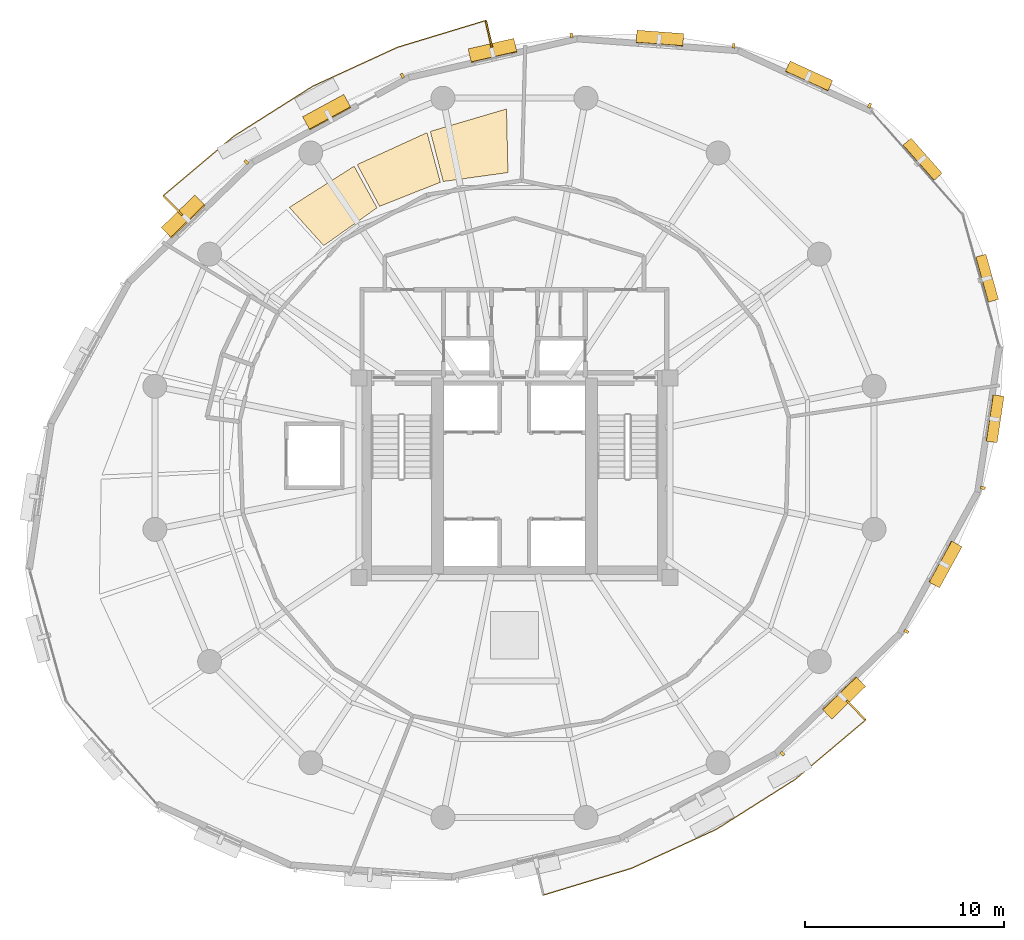
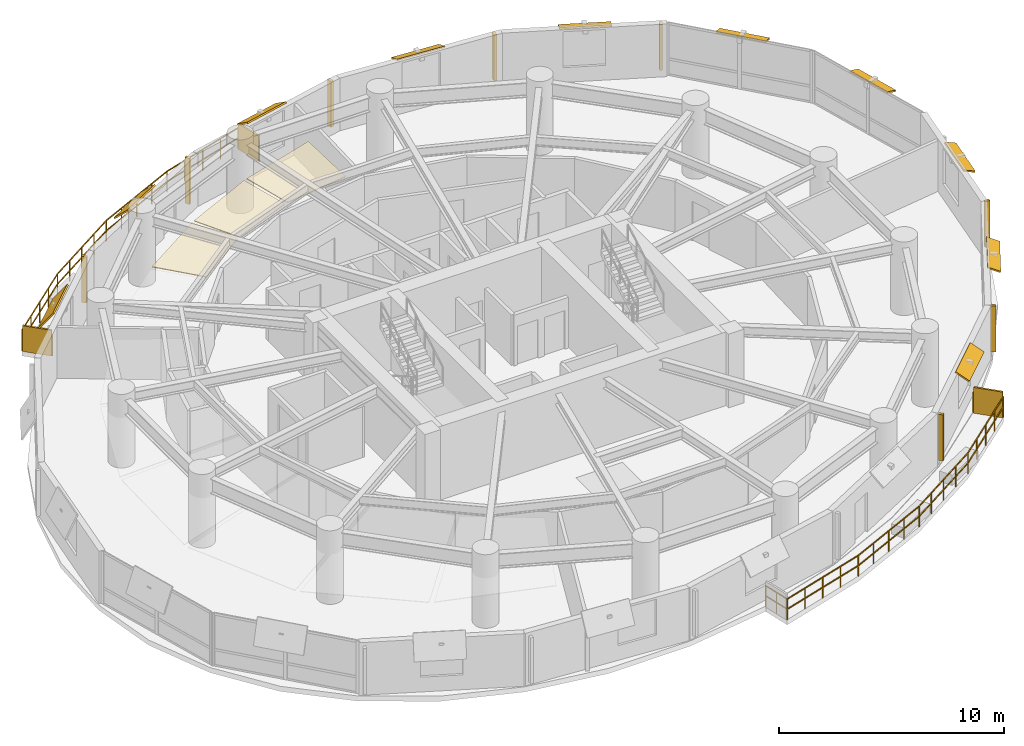
# One storey, part 12 of 12: 21 shading devices, 3 coverings, 2 railings.
"""IFC4 building model written with IfcOpenShell, lengths in metres."""

from ifc_helpers import new_model, si_unit, direction, frame, origin, origin_2d, place, context, subcontext, project, spatial, polyline, rectangle, outline, extrude, material, layer, layer_set, type_object, element, save


model = new_model("IFC4")

# Units and contexts
model_context = context("Model", 3, precision=1e-05, world=origin(), true_north=direction((0.0, 1.0)))
body_context = subcontext(model_context, "Body", "Model", "MODEL_VIEW")
ifc_project = project(units=[si_unit("LENGTHUNIT", "METRE"), si_unit("AREAUNIT", "SQUARE_METRE"), si_unit("VOLUMEUNIT", "CUBIC_METRE"), si_unit("PLANEANGLEUNIT", "RADIAN"), si_unit("MASSUNIT", "GRAM", prefix="KILO"), si_unit("THERMODYNAMICTEMPERATUREUNIT", "KELVIN"), si_unit("POWERUNIT", "WATT")], contexts=[model_context])

# Site, building, storey
site_placement = place(None, origin())
site = spatial("IfcSite", under=ifc_project, at=site_placement, CompositionType="ELEMENT")
building_placement = place(site_placement, origin())
building = spatial("IfcBuilding", under=site, at=building_placement, Name="Ocrelia Relay Tower", CompositionType="ELEMENT")
storey_placement = place(building_placement, frame((0.0, 0.0, 153.800048828125)))
storey = spatial("IfcBuildingStorey", under=building, at=storey_placement, Name="L36", CompositionType="ELEMENT", Elevation=153.800048828125)

# Coverings
ifc_material_1 = material(Name="Mineral-fiber acoustic ceiling tile", Category="gypsum")
ifc_layer_1 = layer(ifc_material_1, 0.0400390625, Name="Mineral-fiber acoustic ceiling tile")
ifc_layer_set_1 = layer_set([ifc_layer_1], Name="Mineral-fiber acoustic ceiling tile")
covering_type = type_object("IfcCoveringType", Name="COV-CEIL-ACOUSTIC", PredefinedType="CEILING", material=ifc_layer_set_1)
covering_1_placement = place(storey_placement, frame((0.0, 0.0, 2.679931640625)))
element("IfcCovering", 1, at=covering_1_placement, inside=storey, type_object=covering_type, Name="L36 Sky Observation Lounge Suspended Ceiling 1", PredefinedType="CEILING", context=body_context, shape_type="SweptSolid", body=[
    extrude(outline(polyline([(33.675048828125, 40.31640625), (33.602783203125, 43.508544921875), (29.7783203125, 42.382568359375), (30.4267578125, 39.866943359375), (33.675048828125, 40.31640625)])), origin(), (0.0, 0.0, 1.0), 0.0400390625),
])
covering_2_placement = place(storey_placement, frame((0.0, 0.0, 2.679931640625)))
element("IfcCovering", 2, at=covering_2_placement, inside=storey, type_object=covering_type, Name="L36 Sky Observation Lounge Suspended Ceiling 2", PredefinedType="CEILING", context=body_context, shape_type="SweptSolid", body=[
    extrude(outline(polyline([(30.281494140625, 39.828857421875), (29.61181640625, 42.320068359375), (26.1083984375, 40.718017578125), (27.233154296875, 38.620361328125), (30.281494140625, 39.828857421875)])), origin(), (0.0, 0.0, 1.0), 0.0400390625),
])
covering_3_placement = place(storey_placement, frame((0.0, 0.0, 2.679931640625)))
element("IfcCovering", 3, at=covering_3_placement, inside=storey, type_object=covering_type, Name="L36 Sky Observation Lounge Suspended Ceiling 3", PredefinedType="CEILING", context=body_context, shape_type="SweptSolid", body=[
    extrude(outline(polyline([(27.101318359375, 38.548583984375), (25.95458984375, 40.634521484375), (22.702880859375, 38.568603515625), (24.42724609375, 36.650146484375), (27.101318359375, 38.548583984375)])), origin(), (0.0, 0.0, 1.0), 0.0400390625),
])

# Railings
ifc_material_2 = material(Name="Steel S355 balustrade", Category="steel")
railing_type = type_object("IfcRailingType", Name="RL-EXT-GUARD-1150", PredefinedType="GUARDRAIL", material=ifc_material_2)
railing_1_placement = place(storey_placement, frame((17.34619140625, 38.162353515625, 0.0)))
element("IfcRailing", 4, at=railing_1_placement, inside=storey, type_object=railing_type, Name="L36 Loggia Balcony Guard Rail B1", PredefinedType="GUARDRAIL", context=body_context, shape_type="SweptSolid", body=[
    extrude(rectangle(XDim=0.048095703125, YDim=0.048095703125, at=origin_2d()), frame((0.0, 0.0, 1.1259765625), z_axis=(-0.696605382425, 0.717454487181, 0.0), x_axis=(-0.717454487181, -0.696605382425, 0.0)), (0.0, 0.0, 1.0), 1.3935546875),
    extrude(rectangle(XDim=0.048095703125, YDim=0.048095703125, at=origin_2d()), frame((0.0, 0.0, 0.574951171875), z_axis=(-0.696605382425, 0.717454487181, 0.0), x_axis=(-0.717454487181, -0.696605382425, 0.0)), (0.0, 0.0, 1.0), 1.3935546875),
    extrude(rectangle(XDim=0.048095703125, YDim=0.048095703125, at=origin_2d()), frame((-0.970703125, 0.999755859375, 1.1259765625), z_axis=(0.764736205821, 0.644343491863, 0.0), x_axis=(-0.644343491863, 0.764736205821, 0.0)), (0.0, 0.0, 1.0), 2.31591796875),
    extrude(rectangle(XDim=0.048095703125, YDim=0.048095703125, at=origin_2d()), frame((-0.970703125, 0.999755859375, 0.574951171875), z_axis=(0.764736205821, 0.644343491863, 0.0), x_axis=(-0.644343491863, 0.764736205821, 0.0)), (0.0, 0.0, 1.0), 2.31591796875),
    extrude(rectangle(XDim=0.048095703125, YDim=0.048095703125, at=origin_2d()), frame((0.80029296875, 2.491943359375, 1.1259765625), z_axis=(0.764736205821, 0.644343491863, 0.0), x_axis=(-0.644343491863, 0.764736205821, 0.0)), (0.0, 0.0, 1.0), 2.31591796875),
    extrude(rectangle(XDim=0.048095703125, YDim=0.048095703125, at=origin_2d()), frame((0.80029296875, 2.491943359375, 0.574951171875), z_axis=(0.764736205821, 0.644343491863, 0.0), x_axis=(-0.644343491863, 0.764736205821, 0.0)), (0.0, 0.0, 1.0), 2.31591796875),
    extrude(rectangle(XDim=0.048095703125, YDim=0.048095703125, at=origin_2d()), frame((2.5712890625, 3.984130859375, 1.1259765625), z_axis=(0.844863854717, 0.534981370697, 0.0), x_axis=(-0.534981370697, 0.844863854717, 0.0)), (0.0, 0.0, 1.0), 4.68212890625),
    extrude(rectangle(XDim=0.048095703125, YDim=0.048095703125, at=origin_2d()), frame((2.5712890625, 3.984130859375, 0.574951171875), z_axis=(0.844863854717, 0.534981370697, 0.0), x_axis=(-0.534981370697, 0.844863854717, 0.0)), (0.0, 0.0, 1.0), 4.68212890625),
    extrude(rectangle(XDim=0.048095703125, YDim=0.048095703125, at=origin_2d()), frame((6.527099609375, 6.489013671875, 1.1259765625), z_axis=(0.908813664652, 0.417202256635, 0.0), x_axis=(-0.417202256635, 0.908813664652, 0.0)), (0.0, 0.0, 1.0), 4.68212890625),
    extrude(rectangle(XDim=0.048095703125, YDim=0.048095703125, at=origin_2d()), frame((6.527099609375, 6.489013671875, 0.574951171875), z_axis=(0.908813664652, 0.417202256635, 0.0), x_axis=(-0.417202256635, 0.908813664652, 0.0)), (0.0, 0.0, 1.0), 4.68212890625),
    extrude(rectangle(XDim=0.048095703125, YDim=0.048095703125, at=origin_2d()), frame((10.7822265625, 8.4423828125, 1.1259765625), z_axis=(0.956916155256, 0.290364377653, 0.0), x_axis=(-0.290364377653, 0.956916155256, 0.0)), (0.0, 0.0, 1.0), 2.315673828125),
    extrude(rectangle(XDim=0.048095703125, YDim=0.048095703125, at=origin_2d()), frame((10.7822265625, 8.4423828125, 0.574951171875), z_axis=(0.956916155256, 0.290364377653, 0.0), x_axis=(-0.290364377653, 0.956916155256, 0.0)), (0.0, 0.0, 1.0), 2.315673828125),
    extrude(rectangle(XDim=0.048095703125, YDim=0.048095703125, at=origin_2d()), frame((12.998046875, 9.11474609375, 1.1259765625), z_axis=(0.956895749636, 0.290431617302, 0.0), x_axis=(-0.290431617302, 0.956895749636, 0.0)), (0.0, 0.0, 1.0), 2.31591796875),
    extrude(rectangle(XDim=0.048095703125, YDim=0.048095703125, at=origin_2d()), frame((12.998046875, 9.11474609375, 0.574951171875), z_axis=(0.956895749636, 0.290431617302, 0.0), x_axis=(-0.290431617302, 0.956895749636, 0.0)), (0.0, 0.0, 1.0), 2.31591796875),
    extrude(rectangle(XDim=0.048095703125, YDim=0.048095703125, at=origin_2d()), frame((15.214111328125, 9.787353515625, 1.1259765625), z_axis=(0.222325276678, -0.974972549024, 0.0), x_axis=(0.974972549024, 0.222325276678, 0.0)), (0.0, 0.0, 1.0), 1.3935546875),
    extrude(rectangle(XDim=0.048095703125, YDim=0.048095703125, at=origin_2d()), frame((15.214111328125, 9.787353515625, 0.574951171875), z_axis=(0.222325276678, -0.974972549024, 0.0), x_axis=(0.974972549024, 0.222325276678, 0.0)), (0.0, 0.0, 1.0), 1.3935546875),
    extrude(rectangle(XDim=0.0419921875, YDim=0.0419921875, at=origin_2d()), origin(), (0.0, 0.0, 1.0), 1.101806640625),
    extrude(rectangle(XDim=0.0419921875, YDim=0.0419921875, at=origin_2d()), frame((-0.4853515625, 0.5, 0.0)), (0.0, 0.0, 1.0), 1.101806640625),
    extrude(rectangle(XDim=0.0419921875, YDim=0.0419921875, at=origin_2d()), frame((-0.970703125, 0.999755859375, 0.0)), (0.0, 0.0, 1.0), 1.101806640625),
    extrude(rectangle(XDim=0.0419921875, YDim=0.0419921875, at=origin_2d()), frame((-0.085205078125, 1.745849609375, 0.0)), (0.0, 0.0, 1.0), 1.101806640625),
    extrude(rectangle(XDim=0.0419921875, YDim=0.0419921875, at=origin_2d()), frame((0.80029296875, 2.491943359375, 0.0)), (0.0, 0.0, 1.0), 1.101806640625),
    extrude(rectangle(XDim=0.0419921875, YDim=0.0419921875, at=origin_2d()), frame((1.685791015625, 3.238037109375, 0.0)), (0.0, 0.0, 1.0), 1.101806640625),
    extrude(rectangle(XDim=0.0419921875, YDim=0.0419921875, at=origin_2d()), frame((2.5712890625, 3.984130859375, 0.0)), (0.0, 0.0, 1.0), 1.101806640625),
    extrude(rectangle(XDim=0.0419921875, YDim=0.0419921875, at=origin_2d()), frame((3.560302734375, 4.6103515625, 0.0)), (0.0, 0.0, 1.0), 1.101806640625),
    extrude(rectangle(XDim=0.0419921875, YDim=0.0419921875, at=origin_2d()), frame((4.54931640625, 5.236572265625, 0.0)), (0.0, 0.0, 1.0), 1.101806640625),
    extrude(rectangle(XDim=0.0419921875, YDim=0.0419921875, at=origin_2d()), frame((5.5380859375, 5.86279296875, 0.0)), (0.0, 0.0, 1.0), 1.101806640625),
    extrude(rectangle(XDim=0.0419921875, YDim=0.0419921875, at=origin_2d()), frame((6.527099609375, 6.489013671875, 0.0)), (0.0, 0.0, 1.0), 1.101806640625),
    extrude(rectangle(XDim=0.0419921875, YDim=0.0419921875, at=origin_2d()), frame((7.5908203125, 6.977294921875, 0.0)), (0.0, 0.0, 1.0), 1.101806640625),
    extrude(rectangle(XDim=0.0419921875, YDim=0.0419921875, at=origin_2d()), frame((8.65478515625, 7.4658203125, 0.0)), (0.0, 0.0, 1.0), 1.101806640625),
    extrude(rectangle(XDim=0.0419921875, YDim=0.0419921875, at=origin_2d()), frame((9.718505859375, 7.9541015625, 0.0)), (0.0, 0.0, 1.0), 1.101806640625),
    extrude(rectangle(XDim=0.0419921875, YDim=0.0419921875, at=origin_2d()), frame((10.7822265625, 8.4423828125, 0.0)), (0.0, 0.0, 1.0), 1.101806640625),
    extrude(rectangle(XDim=0.0419921875, YDim=0.0419921875, at=origin_2d()), frame((11.89013671875, 8.778564453125, 0.0)), (0.0, 0.0, 1.0), 1.101806640625),
    extrude(rectangle(XDim=0.0419921875, YDim=0.0419921875, at=origin_2d()), frame((12.998046875, 9.11474609375, 0.0)), (0.0, 0.0, 1.0), 1.101806640625),
    extrude(rectangle(XDim=0.0419921875, YDim=0.0419921875, at=origin_2d()), frame((14.10595703125, 9.451171875, 0.0)), (0.0, 0.0, 1.0), 1.101806640625),
    extrude(rectangle(XDim=0.0419921875, YDim=0.0419921875, at=origin_2d()), frame((15.214111328125, 9.787353515625, 0.0)), (0.0, 0.0, 1.0), 1.101806640625),
    extrude(rectangle(XDim=0.0419921875, YDim=0.0419921875, at=origin_2d()), frame((15.369140625, 9.10791015625, 0.0)), (0.0, 0.0, 1.0), 1.101806640625),
    extrude(rectangle(XDim=0.0419921875, YDim=0.0419921875, at=origin_2d()), frame((15.52392578125, 8.4287109375, 0.0)), (0.0, 0.0, 1.0), 1.101806640625),
])
railing_2_placement = place(storey_placement, frame((50.65380859375, 13.837646484375, 0.0)))
element("IfcRailing", 5, at=railing_2_placement, inside=storey, type_object=railing_type, Name="L36 Loggia Balcony Guard Rail B2", PredefinedType="GUARDRAIL", context=body_context, shape_type="SweptSolid", body=[
    extrude(rectangle(XDim=0.048095703125, YDim=0.048095703125, at=origin_2d()), frame((0.0, 0.0, 1.1259765625), z_axis=(0.696605382425, -0.717454487181, 0.0), x_axis=(0.717454487181, 0.696605382425, 0.0)), (0.0, 0.0, 1.0), 1.3935546875),
    extrude(rectangle(XDim=0.048095703125, YDim=0.048095703125, at=origin_2d()), frame((0.0, 0.0, 0.574951171875), z_axis=(0.696605382425, -0.717454487181, 0.0), x_axis=(0.717454487181, 0.696605382425, 0.0)), (0.0, 0.0, 1.0), 1.3935546875),
    extrude(rectangle(XDim=0.048095703125, YDim=0.048095703125, at=origin_2d()), frame((0.970703125, -0.999755859375, 1.1259765625), z_axis=(-0.764736205821, -0.644343491863, 0.0), x_axis=(0.644343491863, -0.764736205821, 0.0)), (0.0, 0.0, 1.0), 2.31591796875),
    extrude(rectangle(XDim=0.048095703125, YDim=0.048095703125, at=origin_2d()), frame((0.970703125, -0.999755859375, 0.574951171875), z_axis=(-0.764736205821, -0.644343491863, 0.0), x_axis=(0.644343491863, -0.764736205821, 0.0)), (0.0, 0.0, 1.0), 2.31591796875),
    extrude(rectangle(XDim=0.048095703125, YDim=0.048095703125, at=origin_2d()), frame((-0.80029296875, -2.491943359375, 1.1259765625), z_axis=(-0.764736205821, -0.644343491863, 0.0), x_axis=(0.644343491863, -0.764736205821, 0.0)), (0.0, 0.0, 1.0), 2.31591796875),
    extrude(rectangle(XDim=0.048095703125, YDim=0.048095703125, at=origin_2d()), frame((-0.80029296875, -2.491943359375, 0.574951171875), z_axis=(-0.764736205821, -0.644343491863, 0.0), x_axis=(0.644343491863, -0.764736205821, 0.0)), (0.0, 0.0, 1.0), 2.31591796875),
    extrude(rectangle(XDim=0.048095703125, YDim=0.048095703125, at=origin_2d()), frame((-2.5712890625, -3.984130859375, 1.1259765625), z_axis=(-0.844863854717, -0.534981370697, 0.0), x_axis=(0.534981370697, -0.844863854717, 0.0)), (0.0, 0.0, 1.0), 4.68212890625),
    extrude(rectangle(XDim=0.048095703125, YDim=0.048095703125, at=origin_2d()), frame((-2.5712890625, -3.984130859375, 0.574951171875), z_axis=(-0.844863854717, -0.534981370697, 0.0), x_axis=(0.534981370697, -0.844863854717, 0.0)), (0.0, 0.0, 1.0), 4.68212890625),
    extrude(rectangle(XDim=0.048095703125, YDim=0.048095703125, at=origin_2d()), frame((-6.527099609375, -6.489013671875, 1.1259765625), z_axis=(-0.908813664652, -0.417202256635, 0.0), x_axis=(0.417202256635, -0.908813664652, 0.0)), (0.0, 0.0, 1.0), 4.68212890625),
    extrude(rectangle(XDim=0.048095703125, YDim=0.048095703125, at=origin_2d()), frame((-6.527099609375, -6.489013671875, 0.574951171875), z_axis=(-0.908813664652, -0.417202256635, 0.0), x_axis=(0.417202256635, -0.908813664652, 0.0)), (0.0, 0.0, 1.0), 4.68212890625),
    extrude(rectangle(XDim=0.048095703125, YDim=0.048095703125, at=origin_2d()), frame((-10.7822265625, -8.4423828125, 1.1259765625), z_axis=(-0.956916155256, -0.290364377653, 0.0), x_axis=(0.290364377653, -0.956916155256, 0.0)), (0.0, 0.0, 1.0), 2.315673828125),
    extrude(rectangle(XDim=0.048095703125, YDim=0.048095703125, at=origin_2d()), frame((-10.7822265625, -8.4423828125, 0.574951171875), z_axis=(-0.956916155256, -0.290364377653, 0.0), x_axis=(0.290364377653, -0.956916155256, 0.0)), (0.0, 0.0, 1.0), 2.315673828125),
    extrude(rectangle(XDim=0.048095703125, YDim=0.048095703125, at=origin_2d()), frame((-12.998046875, -9.11474609375, 1.1259765625), z_axis=(-0.956895749636, -0.290431617302, 0.0), x_axis=(0.290431617302, -0.956895749636, 0.0)), (0.0, 0.0, 1.0), 2.31591796875),
    extrude(rectangle(XDim=0.048095703125, YDim=0.048095703125, at=origin_2d()), frame((-12.998046875, -9.11474609375, 0.574951171875), z_axis=(-0.956895749636, -0.290431617302, 0.0), x_axis=(0.290431617302, -0.956895749636, 0.0)), (0.0, 0.0, 1.0), 2.31591796875),
    extrude(rectangle(XDim=0.048095703125, YDim=0.048095703125, at=origin_2d()), frame((-15.214111328125, -9.787353515625, 1.1259765625), z_axis=(-0.222325276678, 0.974972549024, 0.0), x_axis=(-0.974972549024, -0.222325276678, 0.0)), (0.0, 0.0, 1.0), 1.3935546875),
    extrude(rectangle(XDim=0.048095703125, YDim=0.048095703125, at=origin_2d()), frame((-15.214111328125, -9.787353515625, 0.574951171875), z_axis=(-0.222325276678, 0.974972549024, 0.0), x_axis=(-0.974972549024, -0.222325276678, 0.0)), (0.0, 0.0, 1.0), 1.3935546875),
    extrude(rectangle(XDim=0.0419921875, YDim=0.0419921875, at=origin_2d()), origin(), (0.0, 0.0, 1.0), 1.101806640625),
    extrude(rectangle(XDim=0.0419921875, YDim=0.0419921875, at=origin_2d()), frame((0.4853515625, -0.5, 0.0)), (0.0, 0.0, 1.0), 1.101806640625),
    extrude(rectangle(XDim=0.0419921875, YDim=0.0419921875, at=origin_2d()), frame((0.970703125, -0.999755859375, 0.0)), (0.0, 0.0, 1.0), 1.101806640625),
    extrude(rectangle(XDim=0.0419921875, YDim=0.0419921875, at=origin_2d()), frame((0.085205078125, -1.745849609375, 0.0)), (0.0, 0.0, 1.0), 1.101806640625),
    extrude(rectangle(XDim=0.0419921875, YDim=0.0419921875, at=origin_2d()), frame((-0.80029296875, -2.491943359375, 0.0)), (0.0, 0.0, 1.0), 1.101806640625),
    extrude(rectangle(XDim=0.0419921875, YDim=0.0419921875, at=origin_2d()), frame((-1.685791015625, -3.238037109375, 0.0)), (0.0, 0.0, 1.0), 1.101806640625),
    extrude(rectangle(XDim=0.0419921875, YDim=0.0419921875, at=origin_2d()), frame((-2.5712890625, -3.984130859375, 0.0)), (0.0, 0.0, 1.0), 1.101806640625),
    extrude(rectangle(XDim=0.0419921875, YDim=0.0419921875, at=origin_2d()), frame((-3.560302734375, -4.6103515625, 0.0)), (0.0, 0.0, 1.0), 1.101806640625),
    extrude(rectangle(XDim=0.0419921875, YDim=0.0419921875, at=origin_2d()), frame((-4.54931640625, -5.236572265625, 0.0)), (0.0, 0.0, 1.0), 1.101806640625),
    extrude(rectangle(XDim=0.0419921875, YDim=0.0419921875, at=origin_2d()), frame((-5.5380859375, -5.86279296875, 0.0)), (0.0, 0.0, 1.0), 1.101806640625),
    extrude(rectangle(XDim=0.0419921875, YDim=0.0419921875, at=origin_2d()), frame((-6.527099609375, -6.489013671875, 0.0)), (0.0, 0.0, 1.0), 1.101806640625),
    extrude(rectangle(XDim=0.0419921875, YDim=0.0419921875, at=origin_2d()), frame((-7.5908203125, -6.977294921875, 0.0)), (0.0, 0.0, 1.0), 1.101806640625),
    extrude(rectangle(XDim=0.0419921875, YDim=0.0419921875, at=origin_2d()), frame((-8.65478515625, -7.4658203125, 0.0)), (0.0, 0.0, 1.0), 1.101806640625),
    extrude(rectangle(XDim=0.0419921875, YDim=0.0419921875, at=origin_2d()), frame((-9.718505859375, -7.9541015625, 0.0)), (0.0, 0.0, 1.0), 1.101806640625),
    extrude(rectangle(XDim=0.0419921875, YDim=0.0419921875, at=origin_2d()), frame((-10.7822265625, -8.4423828125, 0.0)), (0.0, 0.0, 1.0), 1.101806640625),
    extrude(rectangle(XDim=0.0419921875, YDim=0.0419921875, at=origin_2d()), frame((-11.89013671875, -8.778564453125, 0.0)), (0.0, 0.0, 1.0), 1.101806640625),
    extrude(rectangle(XDim=0.0419921875, YDim=0.0419921875, at=origin_2d()), frame((-12.998046875, -9.11474609375, 0.0)), (0.0, 0.0, 1.0), 1.101806640625),
    extrude(rectangle(XDim=0.0419921875, YDim=0.0419921875, at=origin_2d()), frame((-14.10595703125, -9.451171875, 0.0)), (0.0, 0.0, 1.0), 1.101806640625),
    extrude(rectangle(XDim=0.0419921875, YDim=0.0419921875, at=origin_2d()), frame((-15.214111328125, -9.787353515625, 0.0)), (0.0, 0.0, 1.0), 1.101806640625),
    extrude(rectangle(XDim=0.0419921875, YDim=0.0419921875, at=origin_2d()), frame((-15.369140625, -9.10791015625, 0.0)), (0.0, 0.0, 1.0), 1.101806640625),
    extrude(rectangle(XDim=0.0419921875, YDim=0.0419921875, at=origin_2d()), frame((-15.52392578125, -8.4287109375, 0.0)), (0.0, 0.0, 1.0), 1.101806640625),
])

# Shading devices
ifc_material_3 = material(Name="Perforated oxide terracotta solar screen", Category="masonry")
ifc_layer_2 = layer(ifc_material_3, 0.090087890625, Name="Perforated oxide terracotta solar screen")
ifc_layer_set_2 = layer_set([ifc_layer_2], Name="Perforated oxide terracotta solar screen")
shading_device_type_1 = type_object("IfcShadingDeviceType", Name="SH-BALC-SCREEN", PredefinedType="USERDEFINED", material=ifc_layer_set_2)
for number, where, z_axis, x_axis, name in (
    (6, (32.715087890625, 47.270263671875, 0.0), (0.0, 0.0, 1.0), (-0.22232204056, 0.974973286958, 0.0), "L36 Balcony Perforated Terracotta Screen B1-1"),
    (7, (16.86083984375, 38.662109375, 0.0), (0.0, 0.0, 1.0), (-0.69658732152, 0.717472022797, 0.0), "L36 Balcony Perforated Terracotta Screen B1-2"),
    (8, (51.13916015625, 13.337890625, 0.0), (0.0, 0.0, 1.0), (0.69658732152, -0.717472022797, 0.0), "L36 Balcony Perforated Terracotta Screen B2-2"),
):
    element("IfcShadingDevice", number, at=place(storey_placement, frame(where, z_axis=z_axis, x_axis=x_axis)), inside=storey, type_object=shading_device_type_1, Name=name, ObjectType="SCREEN", PredefinedType="USERDEFINED", context=body_context, shape_type="SweptSolid", body=[
        extrude(rectangle(XDim=1.340087890625, YDim=0.090087890625, at=origin_2d()), origin(), (0.0, 0.0, 1.0), 1.39990234375),
    ])
ifc_material_4 = material(Name="Extruded oxide terracotta vertical baguette", Category="masonry")
shading_device_type_2 = type_object("IfcShadingDeviceType", Name="SH-TERR-BAGUETTE", PredefinedType="USERDEFINED", material=ifc_material_4)
for number, where, z_axis, x_axis, name in (
    (9, (51.819091796875, 43.6787109375, 0.179931640625), (0.0, 0.0, 1.0), (-0.910104227307, 0.414379410006, 0.0), "L36 Oxide Terracotta Vertical Baguette 02"),
    (10, (45.000244140625, 46.67626953125, 0.179931640625), (0.0, 0.0, 1.0), (-0.997290592698, 0.073562719608, 0.0), "L36 Oxide Terracotta Vertical Baguette 03"),
    (11, (36.864013671875, 47.1953125, 0.179931640625), (0.0, 0.0, 1.0), (-0.974648043129, -0.22374358544, 0.0), "L36 Oxide Terracotta Vertical Baguette 04"),
    (12, (28.375732421875, 45.171875, 0.179931640625), (0.0, 0.0, 1.0), (-0.878818530607, -0.477156148721, 0.0), "L36 Oxide Terracotta Vertical Baguette 05"),
    (13, (20.55078125, 40.84033203125, 0.179931640625), (0.0, 0.0, 1.0), (-0.71847480922, -0.69555298038, 0.0), "L36 Oxide Terracotta Vertical Baguette 06"),
    (14, (47.44921875, 11.15966796875, 0.179931640625), (0.0, 0.0, 1.0), (0.71847480922, 0.69555298038, 0.0), "L36 Oxide Terracotta Vertical Baguette 15"),
    (15, (53.665283203125, 17.2900390625, 0.179931640625), (0.0, 0.0, 1.0), (0.481477672977, 0.876458356355, 0.0), "L36 Oxide Terracotta Vertical Baguette 16"),
    (16, (57.5087890625, 24.48876953125, 0.179931640625), (0.0, 0.0, 1.0), (0.148143748099, 0.988965838591, 0.0), "L36 Oxide Terracotta Vertical Baguette 17"),
):
    element("IfcShadingDevice", number, at=place(storey_placement, frame(where, z_axis=z_axis, x_axis=x_axis)), inside=storey, type_object=shading_device_type_2, Name=name, ObjectType="BAGUETTE", PredefinedType="USERDEFINED", context=body_context, shape_type="SweptSolid", body=[
        extrude(rectangle(XDim=0.139892578125, YDim=0.239990234375, at=origin_2d()), origin(), (0.0, 0.0, 1.0), 2.5),
    ])
ifc_material_5 = material(Name="Extruded oxide terracotta fin", Category="masonry")
ifc_layer_3 = layer(ifc_material_5, 0.080078125, Name="Extruded oxide terracotta fin")
ifc_layer_set_3 = layer_set([ifc_layer_3], Name="Extruded oxide terracotta fin")
shading_device_type_3 = type_object("IfcShadingDeviceType", Name="SH-VISOR-FIN-MED", PredefinedType="USERDEFINED", material=ifc_layer_set_3)
shading_device_1_placement = place(storey_placement, frame((32.9072265625, 46.4169921875, 2.66650390625), z_axis=(-0.121990463189, 0.531401899158, 0.838290133822), x_axis=(-0.974648043129, -0.22374358544, 0.0)))
element("IfcShadingDevice", 17, at=shading_device_1_placement, inside=storey, type_object=shading_device_type_3, Name="L36 Canted Terracotta Sun-Visor Fin 04", ObjectType="FIN", PredefinedType="USERDEFINED", context=body_context, shape_type="SweptSolid", body=[
    extrude(rectangle(XDim=2.35009765625, YDim=0.801025390625, at=origin_2d()), origin(), (0.0, 0.0, 1.0), 0.080078125),
])
shading_device_2_placement = place(storey_placement, frame((24.596435546875, 43.3193359375, 2.6708984375), z_axis=(-0.328271346923, 0.604604894051, 0.725734693176), x_axis=(-0.878818530607, -0.477156148721, 0.0)))
element("IfcShadingDevice", 18, at=shading_device_2_placement, inside=storey, type_object=shading_device_type_3, Name="L36 Canted Terracotta Sun-Visor Fin 05", ObjectType="FIN", PredefinedType="USERDEFINED", context=body_context, shape_type="SweptSolid", body=[
    extrude(rectangle(XDim=2.35009765625, YDim=0.97412109375, at=origin_2d()), origin(), (0.0, 0.0, 1.0), 0.080078125),
])
shading_device_3_placement = place(storey_placement, frame((17.40185546875, 38.085205078125, 2.67626953125), z_axis=(-0.559918310324, 0.578370321941, 0.593278397097), x_axis=(-0.71847480922, -0.69555298038, 0.0)))
element("IfcShadingDevice", 19, at=shading_device_3_placement, inside=storey, type_object=shading_device_type_3, Name="L36 Canted Terracotta Sun-Visor Fin 06", ObjectType="FIN", PredefinedType="USERDEFINED", context=body_context, shape_type="SweptSolid", body=[
    extrude(rectangle(XDim=2.35009765625, YDim=1.14306640625, at=origin_2d()), origin(), (0.0, 0.0, 1.0), 0.080078125),
])
ifc_layer_4 = layer(ifc_material_5, 0.080078125, Name="Extruded oxide terracotta fin")
ifc_layer_set_4 = layer_set([ifc_layer_4], Name="Extruded oxide terracotta fin")
shading_device_type_4 = type_object("IfcShadingDeviceType", Name="SH-VISOR-FIN-SHAL", PredefinedType="USERDEFINED", material=ifc_layer_set_4)
shading_device_4_placement = place(storey_placement, frame((54.465576171875, 40.970947265625, 2.661865234375), z_axis=(0.23726350394, 0.209686713719, 0.948544944527), x_axis=(-0.662219056537, 0.74931029698, 0.0)))
element("IfcShadingDevice", 20, at=shading_device_4_placement, inside=storey, type_object=shading_device_type_4, Name="L36 Canted Terracotta Sun-Visor Fin 01", ObjectType="FIN", PredefinedType="USERDEFINED", context=body_context, shape_type="SweptSolid", body=[
    extrude(rectangle(XDim=2.35009765625, YDim=0.55810546875, at=origin_2d()), origin(), (0.0, 0.0, 1.0), 0.080078125),
])
shading_device_5_placement = place(storey_placement, frame((48.776123046875, 45.145263671875, 2.66259765625), z_axis=(0.146337380339, 0.321401752219, 0.935567359834), x_axis=(-0.910104227307, 0.414379410006, 0.0)))
element("IfcShadingDevice", 21, at=shading_device_5_placement, inside=storey, type_object=shading_device_type_4, Name="L36 Canted Terracotta Sun-Visor Fin 02", ObjectType="FIN", PredefinedType="USERDEFINED", context=body_context, shape_type="SweptSolid", body=[
    extrude(rectangle(XDim=2.35009765625, YDim=0.594970703125, at=origin_2d()), origin(), (0.0, 0.0, 1.0), 0.080078125),
])
shading_device_6_placement = place(storey_placement, frame((41.298828125, 47.038818359375, 2.663818359375), z_axis=(0.031425998576, 0.426042605732, 0.904157123908), x_axis=(-0.997290592698, 0.073562719608, 0.0)))
element("IfcShadingDevice", 22, at=shading_device_6_placement, inside=storey, type_object=shading_device_type_4, Name="L36 Canted Terracotta Sun-Visor Fin 03", ObjectType="FIN", PredefinedType="USERDEFINED", context=body_context, shape_type="SweptSolid", body=[
    extrude(rectangle(XDim=2.35009765625, YDim=0.672119140625, at=origin_2d()), origin(), (0.0, 0.0, 1.0), 0.080078125),
])
shading_device_7_placement = place(storey_placement, frame((50.51904296875, 13.9697265625, 2.66552734375), z_axis=(0.351868580965, -0.363464349533, 0.862601975623), x_axis=(0.71847480922, 0.69555298038, 0.0)))
element("IfcShadingDevice", 23, at=shading_device_7_placement, inside=storey, type_object=shading_device_type_4, Name="L36 Canted Terracotta Sun-Visor Fin 15", ObjectType="FIN", PredefinedType="USERDEFINED", context=body_context, shape_type="SweptSolid", body=[
    extrude(rectangle(XDim=2.35009765625, YDim=0.757080078125, at=origin_2d()), origin(), (0.0, 0.0, 1.0), 0.080078125),
])
shading_device_8_placement = place(storey_placement, frame((55.612060546875, 20.664306640625, 2.6630859375), z_axis=(0.346960130944, -0.190600677433, 0.918308253964), x_axis=(0.481477672977, 0.876458356355, 0.0)))
element("IfcShadingDevice", 24, at=shading_device_8_placement, inside=storey, type_object=shading_device_type_4, Name="L36 Canted Terracotta Sun-Visor Fin 16", ObjectType="FIN", PredefinedType="USERDEFINED", context=body_context, shape_type="SweptSolid", body=[
    extrude(rectangle(XDim=2.35009765625, YDim=0.638916015625, at=origin_2d()), origin(), (0.0, 0.0, 1.0), 0.080078125),
])
shading_device_9_placement = place(storey_placement, frame((58.099365234375, 27.96435546875, 2.662109375), z_axis=(0.330123580469, -0.049451399268, 0.942641491092), x_axis=(0.148143748099, 0.988965838591, 0.0)))
element("IfcShadingDevice", 25, at=shading_device_9_placement, inside=storey, type_object=shading_device_type_4, Name="L36 Canted Terracotta Sun-Visor Fin 17", ObjectType="FIN", PredefinedType="USERDEFINED", context=body_context, shape_type="SweptSolid", body=[
    extrude(rectangle(XDim=2.35009765625, YDim=0.574951171875, at=origin_2d()), origin(), (0.0, 0.0, 1.0), 0.080078125),
])
shading_device_10_placement = place(storey_placement, frame((57.700439453125, 35.009521484375, 2.661865234375), z_axis=(0.298693362018, 0.083007182291, 0.950732393039), x_axis=(-0.267754075452, 0.963487288488, 0.0)))
element("IfcShadingDevice", 26, at=shading_device_10_placement, inside=storey, type_object=shading_device_type_4, Name="L36 Canted Terracotta Sun-Visor Fin 18", ObjectType="FIN", PredefinedType="USERDEFINED", context=body_context, shape_type="SweptSolid", body=[
    extrude(rectangle(XDim=2.35009765625, YDim=0.551025390625, at=origin_2d()), origin(), (0.0, 0.0, 1.0), 0.080078125),
])

save(model, "model.ifc")
